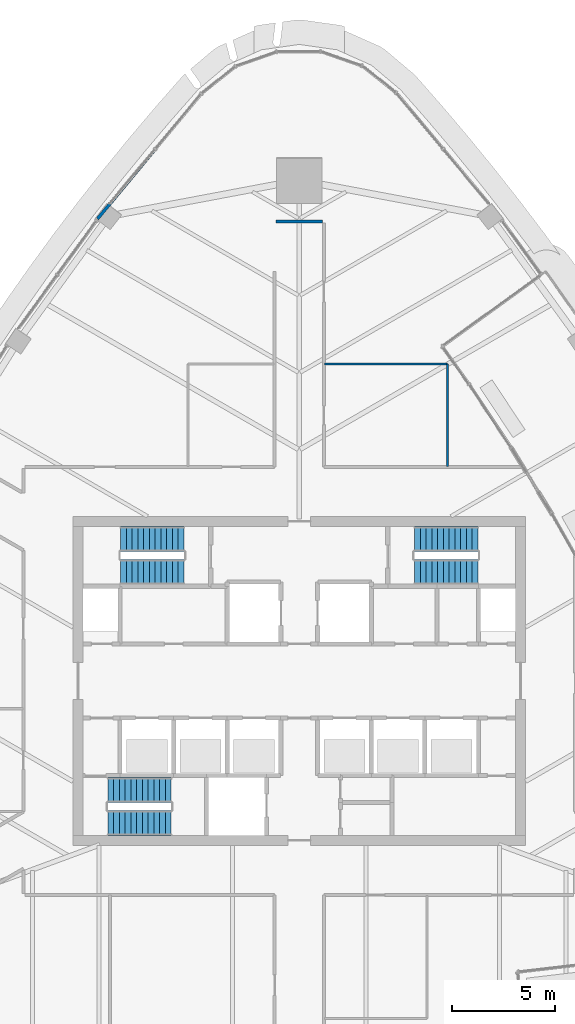
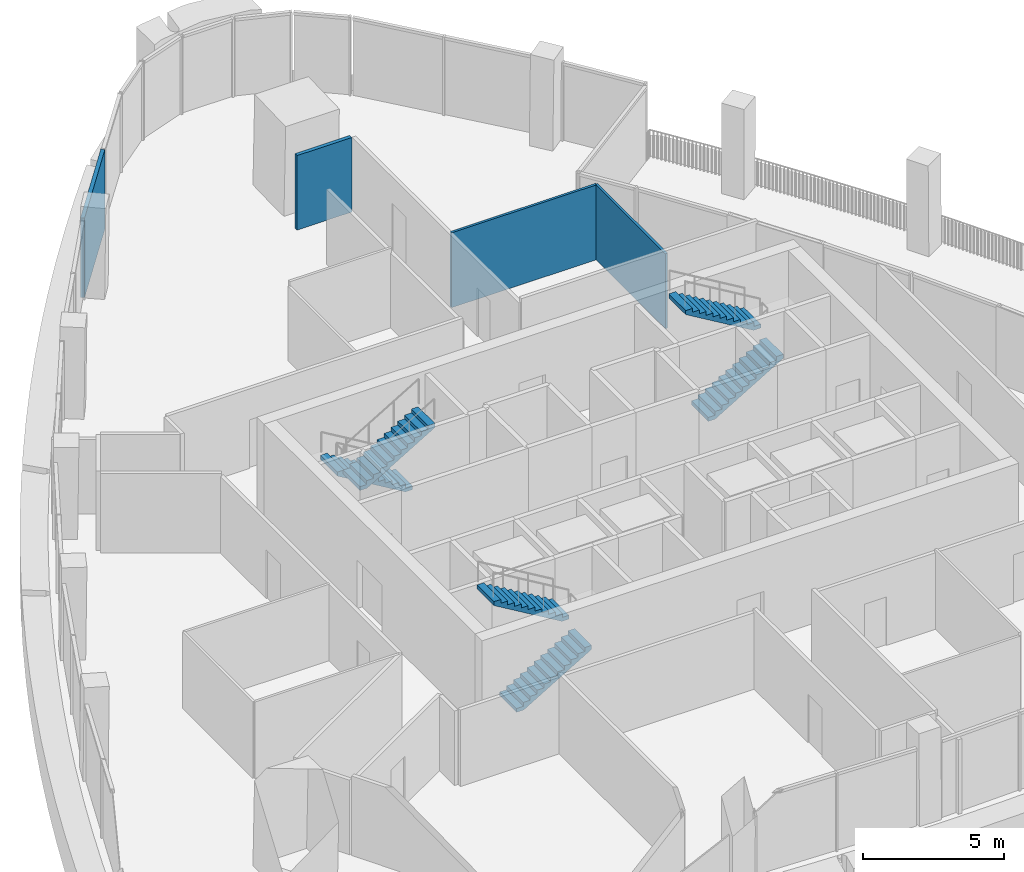
# One storey, part 14 of 20: 6 stair flights, 4 walls, 3 elements without a shape of their own.
"""IFC4 building model written with IfcOpenShell, lengths in metres."""

from ifc_helpers import new_model, si_unit, direction, frame, frame_2d, origin, place, context, subcontext, project, spatial, polyline, rectangle, outline, extrude, material, layer, layer_set, type_object, element, aggregate, save


model = new_model("IFC4")

# Units and contexts
model_context = context("Model", 3, precision=1e-05, world=origin(), true_north=direction((0.0, 1.0)))
body_context = subcontext(model_context, "Body", "Model", "MODEL_VIEW")
ifc_project = project(units=[si_unit("LENGTHUNIT", "METRE"), si_unit("AREAUNIT", "SQUARE_METRE"), si_unit("VOLUMEUNIT", "CUBIC_METRE"), si_unit("PLANEANGLEUNIT", "RADIAN"), si_unit("MASSUNIT", "GRAM", prefix="KILO")], contexts=[model_context])

# Site, building, storey
site_placement = place(None, origin())
site = spatial("IfcSite", under=ifc_project, at=site_placement, CompositionType="ELEMENT")
building_placement = place(site_placement, origin())
building = spatial("IfcBuilding", under=site, at=building_placement, Name="Sierra Prisma Convention Tower", CompositionType="ELEMENT")
storey_placement = place(building_placement, frame((0.0, 0.0, 275.0)))
storey = spatial("IfcBuildingStorey", under=building, at=storey_placement, Name="L62", CompositionType="ELEMENT", Elevation=275.0)

# Walls
ifc_material_1 = material(Name="Gypsum board partition", Category="gypsum")
ifc_layer_1 = layer(ifc_material_1, 0.10009765625)
ifc_layer_set_1 = layer_set([ifc_layer_1], Name="Bathroom partition 100")
wall_type_1 = type_object("IfcWallType", Name="Bathroom partition 100", PredefinedType="PARTITIONING", material=ifc_layer_set_1)
wall_1_placement = place(storey_placement, frame((1.22998046875, 15.39990234375, 0.0), z_axis=(0.0, 0.0, 1.0), x_axis=(1.0, 0.0, 0.0)))
element("IfcWall", 1, at=wall_1_placement, inside=storey, type_object=wall_type_1, Name="Partition L62 bath 8", PredefinedType="PARTITIONING", context=body_context, shape_type="SweptSolid", body=[
    extrude(rectangle(XDim=5.969970703125, YDim=0.10009765625, at=frame_2d((2.98486328125, 0.0))), origin(), (0.0, 0.0, 1.0), 3.2470703125),
])
wall_2_placement = place(storey_placement, frame((7.199951171875, 15.39990234375, 0.0), z_axis=(0.0, 0.0, 1.0), x_axis=(0.0, -1.0, 0.0)))
element("IfcWall", 2, at=wall_2_placement, inside=storey, type_object=wall_type_1, Name="Partition L62 bath 9", PredefinedType="PARTITIONING", context=body_context, shape_type="SweptSolid", body=[
    extrude(rectangle(XDim=4.969970703125, YDim=0.10009765625, at=frame_2d((2.48486328125, 0.0))), origin(), (0.0, 0.0, 1.0), 3.2470703125),
])
ifc_material_2 = material(Name="Gypsum board partition", Category="gypsum")
ifc_layer_2 = layer(ifc_material_2, 0.14990234375)
ifc_layer_set_2 = layer_set([ifc_layer_2], Name="Corridor wall 150 gypsum EI 60")
wall_type_2 = type_object("IfcWallType", Name="Corridor wall 150 gypsum EI 60", PredefinedType="PARTITIONING", material=ifc_layer_set_2)
wall_3_placement = place(storey_placement, frame((1.1201171875, 22.32568359375, 0.0), z_axis=(0.0, 0.0, 1.0), x_axis=(-1.0, 0.0, 0.0)))
element("IfcWall", 3, at=wall_3_placement, inside=storey, type_object=wall_type_2, Name="Partition L62 corr 15", PredefinedType="PARTITIONING", context=body_context, shape_type="SweptSolid", body=[
    extrude(rectangle(XDim=2.240234375, YDim=0.14990234375, at=frame_2d((1.1201171875, 0.0))), origin(), (0.0, 0.0, 1.0), 3.23291015625),
])
ifc_material_3 = material(Name="Gypsum board partition", Category="gypsum")
ifc_layer_3 = layer(ifc_material_3, 0.14990234375)
ifc_layer_set_3 = layer_set([ifc_layer_3], Name="Party wall 150 gypsum")
wall_type_3 = type_object("IfcWallType", Name="Party wall 150 gypsum", PredefinedType="PARTITIONING", material=ifc_layer_set_3)
wall_4_placement = place(storey_placement, frame((-9.80224609375, 22.4521484375, 0.0), z_axis=(0.0, 0.0, 1.0), x_axis=(0.637985217185, 0.770048610578, 0.0)))
element("IfcWall", 4, at=wall_4_placement, inside=storey, type_object=wall_type_3, Name="Partition L62 party 6", PredefinedType="PARTITIONING", context=body_context, shape_type="SweptSolid", body=[
    extrude(rectangle(XDim=4.307373046875, YDim=0.14990234375, at=frame_2d((2.15380859375, 0.0))), origin(), (0.0, 0.0, 1.0), 3.449951171875),
])

# Stair, stair flights
ifc_material_4 = material(Name="Concrete C30/37", Category="concrete")
stair_type = type_object("IfcStairType", Name="Stair dog-leg 1200 RC", PredefinedType="HALF_TURN_STAIR", material=ifc_material_4)
stair_1_placement = place(storey_placement, origin())
stair_1 = element("IfcStair", 5, at=stair_1_placement, inside=storey, type_object=stair_type, Name="L62 S1", PredefinedType="HALF_TURN_STAIR")
ifc_material_5 = material(Name="Concrete C30/37", Category="concrete")
stair_flight_type = type_object("IfcStairFlightType", Name="Stair flight RC 1200", PredefinedType="STRAIGHT", material=ifc_material_5)
stair_flight_1_placement = place(storey_placement, frame((-9.300048828125, -6.89990234375, 0.0), z_axis=(0.0, 0.0, 1.0), x_axis=(1.0, 0.0, 0.0)))
stair_flight_1 = element("IfcStairFlight", 6, at=stair_flight_1_placement, type_object=stair_flight_type, Name="S1 flight 1", NumberOfRisers=12, NumberOfTreads=11, PredefinedType="STRAIGHT", RiserHeight=0.166666667, TreadLength=0.28, context=body_context, shape_type="SweptSolid", body=[
    extrude(outline(polyline([(0.0, 0.0), (0.0, 0.166748046875), (0.280029296875, 0.166748046875), (0.280029296875, 0.333251953125), (0.56005859375, 0.333251953125), (0.56005859375, 0.5), (0.840087890625, 0.5), (0.840087890625, 0.666748046875), (1.1201171875, 0.666748046875), (1.1201171875, 0.833251953125), (1.39990234375, 0.833251953125), (1.39990234375, 1.0), (1.679931640625, 1.0), (1.679931640625, 1.166748046875), (1.9599609375, 1.166748046875), (1.9599609375, 1.333251953125), (2.239990234375, 1.333251953125), (2.239990234375, 1.5), (2.52001953125, 1.5), (2.52001953125, 1.666748046875), (2.800048828125, 1.666748046875), (2.800048828125, 1.833251953125), (3.080078125, 1.833251953125), (3.080078125, 2.0), (3.080078125, 1.658935546875), (0.29296875, 0.0), (0.0, 0.0)])), frame((0.0, 0.60009765625, 0.0), z_axis=(0.0, -1.0, 0.0), x_axis=(1.0, 0.0, 0.0)), (0.0, 0.0, 1.0), 1.199951171875),
])
stair_flight_2_placement = place(storey_placement, frame((-6.219970703125, -5.300048828125, 2.0), z_axis=(0.0, 0.0, 1.0), x_axis=(-1.0, 0.0, 0.0)))
stair_flight_2 = element("IfcStairFlight", 7, at=stair_flight_2_placement, type_object=stair_flight_type, Name="S1 flight 2", NumberOfRisers=12, NumberOfTreads=11, PredefinedType="STRAIGHT", RiserHeight=0.166666667, TreadLength=0.28, context=body_context, shape_type="SweptSolid", body=[
    extrude(outline(polyline([(0.0, 0.0), (0.0, 0.166748046875), (0.280029296875, 0.166748046875), (0.280029296875, 0.333251953125), (0.56005859375, 0.333251953125), (0.56005859375, 0.5), (0.840087890625, 0.5), (0.840087890625, 0.666748046875), (1.1201171875, 0.666748046875), (1.1201171875, 0.833251953125), (1.39990234375, 0.833251953125), (1.39990234375, 1.0), (1.679931640625, 1.0), (1.679931640625, 1.166748046875), (1.9599609375, 1.166748046875), (1.9599609375, 1.333251953125), (2.239990234375, 1.333251953125), (2.239990234375, 1.5), (2.52001953125, 1.5), (2.52001953125, 1.666748046875), (2.800048828125, 1.666748046875), (2.800048828125, 1.833251953125), (3.080078125, 1.833251953125), (3.080078125, 2.0), (3.080078125, 1.658935546875), (0.29296875, 0.0), (0.0, 0.0)])), frame((0.0, 0.60009765625, 0.0), z_axis=(0.0, -1.0, 0.0), x_axis=(1.0, 0.0, 0.0)), (0.0, 0.0, 1.0), 1.199951171875),
])
aggregate(stair_1, [stair_flight_1, stair_flight_2])

stair_2_placement = place(storey_placement, origin())
stair_2 = element("IfcStair", 8, at=stair_2_placement, inside=storey, type_object=stair_type, Name="L62 S3", PredefinedType="HALF_TURN_STAIR")
stair_flight_3_placement = place(storey_placement, frame((-5.60009765625, 6.89990234375, 0.0), z_axis=(0.0, 0.0, 1.0), x_axis=(-1.0, 0.0, 0.0)))
stair_flight_3 = element("IfcStairFlight", 9, at=stair_flight_3_placement, type_object=stair_flight_type, Name="S3 flight 1", NumberOfRisers=12, NumberOfTreads=11, PredefinedType="STRAIGHT", RiserHeight=0.166666667, TreadLength=0.28, context=body_context, shape_type="SweptSolid", body=[
    extrude(outline(polyline([(0.0, 0.0), (0.0, 0.166748046875), (0.280029296875, 0.166748046875), (0.280029296875, 0.333251953125), (0.56005859375, 0.333251953125), (0.56005859375, 0.5), (0.840087890625, 0.5), (0.840087890625, 0.666748046875), (1.1201171875, 0.666748046875), (1.1201171875, 0.833251953125), (1.39990234375, 0.833251953125), (1.39990234375, 1.0), (1.679931640625, 1.0), (1.679931640625, 1.166748046875), (1.9599609375, 1.166748046875), (1.9599609375, 1.333251953125), (2.239990234375, 1.333251953125), (2.239990234375, 1.5), (2.52001953125, 1.5), (2.52001953125, 1.666748046875), (2.800048828125, 1.666748046875), (2.800048828125, 1.833251953125), (3.080078125, 1.833251953125), (3.080078125, 2.0), (3.080078125, 1.658935546875), (0.29296875, 0.0), (0.0, 0.0)])), frame((0.0, 0.60009765625, 0.0), z_axis=(0.0, -1.0, 0.0), x_axis=(1.0, 0.0, 0.0)), (0.0, 0.0, 1.0), 1.199951171875),
])
stair_flight_4_placement = place(storey_placement, frame((-8.679931640625, 5.300048828125, 2.0), z_axis=(0.0, 0.0, 1.0), x_axis=(1.0, 0.0, 0.0)))
stair_flight_4 = element("IfcStairFlight", 10, at=stair_flight_4_placement, type_object=stair_flight_type, Name="S3 flight 2", NumberOfRisers=12, NumberOfTreads=11, PredefinedType="STRAIGHT", RiserHeight=0.166666667, TreadLength=0.28, context=body_context, shape_type="SweptSolid", body=[
    extrude(outline(polyline([(0.0, 0.0), (0.0, 0.166748046875), (0.280029296875, 0.166748046875), (0.280029296875, 0.333251953125), (0.56005859375, 0.333251953125), (0.56005859375, 0.5), (0.840087890625, 0.5), (0.840087890625, 0.666748046875), (1.1201171875, 0.666748046875), (1.1201171875, 0.833251953125), (1.39990234375, 0.833251953125), (1.39990234375, 1.0), (1.679931640625, 1.0), (1.679931640625, 1.166748046875), (1.9599609375, 1.166748046875), (1.9599609375, 1.333251953125), (2.239990234375, 1.333251953125), (2.239990234375, 1.5), (2.52001953125, 1.5), (2.52001953125, 1.666748046875), (2.800048828125, 1.666748046875), (2.800048828125, 1.833251953125), (3.080078125, 1.833251953125), (3.080078125, 2.0), (3.080078125, 1.658935546875), (0.29296875, 0.0), (0.0, 0.0)])), frame((0.0, 0.60009765625, 0.0), z_axis=(0.0, -1.0, 0.0), x_axis=(1.0, 0.0, 0.0)), (0.0, 0.0, 1.0), 1.199951171875),
])
aggregate(stair_2, [stair_flight_3, stair_flight_4])

stair_3_placement = place(storey_placement, origin())
stair_3 = element("IfcStair", 11, at=stair_3_placement, inside=storey, type_object=stair_type, Name="L62 S4", PredefinedType="HALF_TURN_STAIR")
stair_flight_5_placement = place(storey_placement, frame((5.60009765625, 5.300048828125, 0.0), z_axis=(0.0, 0.0, 1.0), x_axis=(1.0, 0.0, 0.0)))
stair_flight_5 = element("IfcStairFlight", 12, at=stair_flight_5_placement, type_object=stair_flight_type, Name="S4 flight 1", NumberOfRisers=12, NumberOfTreads=11, PredefinedType="STRAIGHT", RiserHeight=0.166666667, TreadLength=0.28, context=body_context, shape_type="SweptSolid", body=[
    extrude(outline(polyline([(0.0, 0.0), (0.0, 0.166748046875), (0.280029296875, 0.166748046875), (0.280029296875, 0.333251953125), (0.56005859375, 0.333251953125), (0.56005859375, 0.5), (0.840087890625, 0.5), (0.840087890625, 0.666748046875), (1.1201171875, 0.666748046875), (1.1201171875, 0.833251953125), (1.39990234375, 0.833251953125), (1.39990234375, 1.0), (1.679931640625, 1.0), (1.679931640625, 1.166748046875), (1.9599609375, 1.166748046875), (1.9599609375, 1.333251953125), (2.239990234375, 1.333251953125), (2.239990234375, 1.5), (2.52001953125, 1.5), (2.52001953125, 1.666748046875), (2.800048828125, 1.666748046875), (2.800048828125, 1.833251953125), (3.080078125, 1.833251953125), (3.080078125, 2.0), (3.080078125, 1.658935546875), (0.29296875, 0.0), (0.0, 0.0)])), frame((0.0, 0.60009765625, 0.0), z_axis=(0.0, -1.0, 0.0), x_axis=(1.0, 0.0, 0.0)), (0.0, 0.0, 1.0), 1.199951171875),
])
stair_flight_6_placement = place(storey_placement, frame((8.679931640625, 6.89990234375, 2.0), z_axis=(0.0, 0.0, 1.0), x_axis=(-1.0, 0.0, 0.0)))
stair_flight_6 = element("IfcStairFlight", 13, at=stair_flight_6_placement, type_object=stair_flight_type, Name="S4 flight 2", NumberOfRisers=12, NumberOfTreads=11, PredefinedType="STRAIGHT", RiserHeight=0.166666667, TreadLength=0.28, context=body_context, shape_type="SweptSolid", body=[
    extrude(outline(polyline([(0.0, 0.0), (0.0, 0.166748046875), (0.280029296875, 0.166748046875), (0.280029296875, 0.333251953125), (0.56005859375, 0.333251953125), (0.56005859375, 0.5), (0.840087890625, 0.5), (0.840087890625, 0.666748046875), (1.1201171875, 0.666748046875), (1.1201171875, 0.833251953125), (1.39990234375, 0.833251953125), (1.39990234375, 1.0), (1.679931640625, 1.0), (1.679931640625, 1.166748046875), (1.9599609375, 1.166748046875), (1.9599609375, 1.333251953125), (2.239990234375, 1.333251953125), (2.239990234375, 1.5), (2.52001953125, 1.5), (2.52001953125, 1.666748046875), (2.800048828125, 1.666748046875), (2.800048828125, 1.833251953125), (3.080078125, 1.833251953125), (3.080078125, 2.0), (3.080078125, 1.658935546875), (0.29296875, 0.0), (0.0, 0.0)])), frame((0.0, 0.60009765625, 0.0), z_axis=(0.0, -1.0, 0.0), x_axis=(1.0, 0.0, 0.0)), (0.0, 0.0, 1.0), 1.199951171875),
])
aggregate(stair_3, [stair_flight_5, stair_flight_6])

save(model, "model.ifc")
